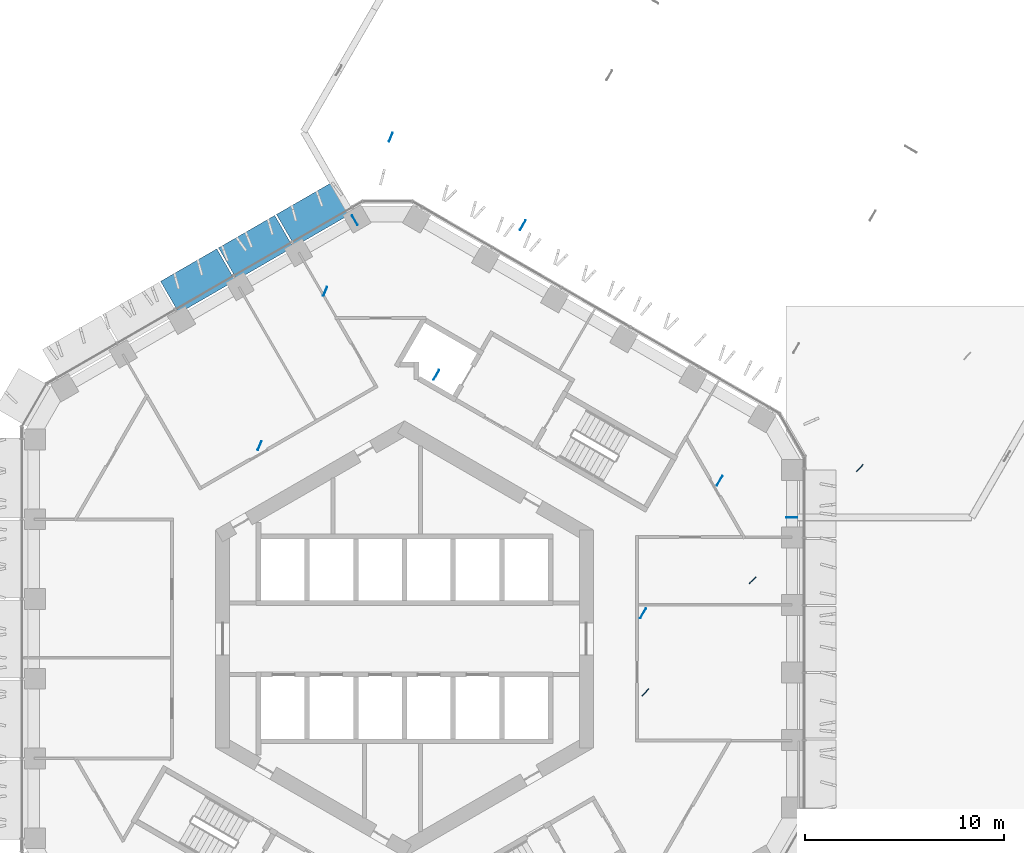
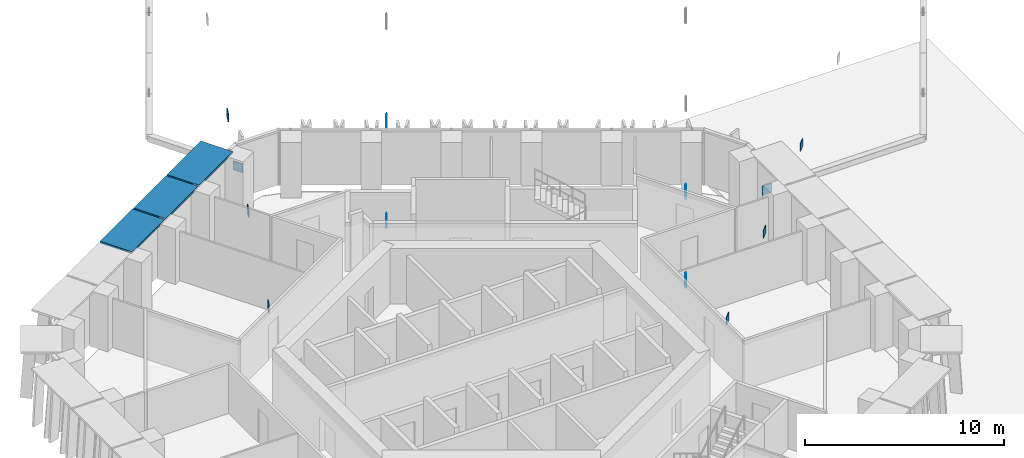
# One storey, part 17 of 25: 15 discrete accessories.
"""IFC4 building model written with IfcOpenShell, lengths in metres."""

from ifc_helpers import new_model, si_unit, direction, frame, origin, origin_2d, place, context, subcontext, project, spatial, rectangle, extrude, material, layer, layer_set, type_object, element, save


model = new_model("IFC4")

# Units and contexts
model_context = context("Model", 3, precision=1e-05, world=origin(), true_north=direction((0.0, 1.0)))
body_context = subcontext(model_context, "Body", "Model", "MODEL_VIEW")
ifc_project = project(units=[si_unit("LENGTHUNIT", "METRE"), si_unit("AREAUNIT", "SQUARE_METRE"), si_unit("VOLUMEUNIT", "CUBIC_METRE"), si_unit("PLANEANGLEUNIT", "RADIAN"), si_unit("MASSUNIT", "GRAM", prefix="KILO")], contexts=[model_context])

# Site, building, storey
site_placement = place(None, origin())
site = spatial("IfcSite", under=ifc_project, at=site_placement, CompositionType="ELEMENT")
building_placement = place(site_placement, origin())
building = spatial("IfcBuilding", under=site, at=building_placement, Name="Ayvan Gate Tower", CompositionType="ELEMENT")
storey_placement = place(building_placement, frame((0.0, 0.0, 132.5)))
storey = spatial("IfcBuildingStorey", under=building, at=storey_placement, Name="L35", CompositionType="ELEMENT", Elevation=132.5)

# Discrete accessories
ifc_material_1 = material(Name="Stainless steel 316", Category="steel")
ifc_layer_1 = layer(ifc_material_1, 0.1201171875)
ifc_layer_set_1 = layer_set([ifc_layer_1], Name="Stainless steel 316")
discrete_accessory_type_1 = type_object("IfcDiscreteAccessoryType", Name="Fin carrier bracket", PredefinedType="BRACKET", material=ifc_layer_set_1)
discrete_accessory_1_placement = place(storey_placement, frame((-10.393310546875, 18.00146484375, 3.280029296875), z_axis=(0.0, 0.0, 1.0), x_axis=(-0.866025403784, -0.5, 0.0)))
element("IfcDiscreteAccessory", 1, at=discrete_accessory_1_placement, inside=storey, type_object=discrete_accessory_type_1, Name="Fin carrier 341", PredefinedType="BRACKET", context=body_context, shape_type="SweptSolid", body=[
    extrude(rectangle(XDim=3.26611328125, YDim=1.851806640625, at=origin_2d()), origin(), (0.0, 0.0, 1.0), 0.1201171875),
])
discrete_accessory_2_placement = place(storey_placement, frame((-7.478759765625, 19.684326171875, 3.280029296875), z_axis=(0.0, 0.0, 1.0), x_axis=(-0.866025403784, -0.5, 0.0)))
element("IfcDiscreteAccessory", 2, at=discrete_accessory_2_placement, inside=storey, type_object=discrete_accessory_type_1, Name="Fin carrier 404", PredefinedType="BRACKET", context=body_context, shape_type="SweptSolid", body=[
    extrude(rectangle(XDim=3.264892578125, YDim=1.851806640625, at=origin_2d()), origin(), (0.0, 0.0, 1.0), 0.1201171875),
])
discrete_accessory_3_placement = place(storey_placement, frame((-4.5068359375, 21.39990234375, 3.280029296875), z_axis=(0.0, 0.0, 1.0), x_axis=(-0.866025403784, -0.5, 0.0)))
element("IfcDiscreteAccessory", 3, at=discrete_accessory_3_placement, inside=storey, type_object=discrete_accessory_type_1, Name="Fin carrier 459", PredefinedType="BRACKET", context=body_context, shape_type="SweptSolid", body=[
    extrude(rectangle(XDim=3.39794921875, YDim=1.851806640625, at=origin_2d()), origin(), (0.0, 0.0, 1.0), 0.1201171875),
])
ifc_material_2 = material(Name="Steel S460ML", Category="steel")
ifc_layer_2 = layer(ifc_material_2, 0.030029296875)
ifc_layer_set_2 = layer_set([ifc_layer_2], Name="Steel S460ML")
discrete_accessory_type_2 = type_object("IfcDiscreteAccessoryType", Name="Gusset plate 30 mm", PredefinedType="BRACKET", material=ifc_layer_set_2)
for number, where, z_axis, x_axis, name in (
    (4, (12.0, 1.28466796875, 2.39501953125), (0.0, 0.0, 1.0), (0.5, 0.866025403784, 0.0), "Gusset plate SBT3-2-D-2"),
    (5, (15.85009765625, 7.953369140625, 2.39501953125), (0.0, 0.0, 1.0), (0.5, 0.866025403784, 0.0), "Gusset plate SBT3-2-D-3"),
    (6, (1.603515625, 13.277099609375, 2.39501953125), (0.0, 0.0, 1.0), (0.5, 0.866025403784, 0.0), "Gusset plate SBT3-3-D-2"),
    (7, (5.956298828125, 20.81640625, 2.39501953125), (0.0, 0.0, 1.0), (0.5, 0.866025403784, 0.0), "Gusset plate SBT3-3-D-3"),
    (8, (-2.498291015625, 21.0576171875, 2.39501953125), (0.0, 0.0, 1.0), (-0.5, 0.866025403784, 0.0), "Gusset plate SBX3-A-D-1"),
    (9, (19.485595703125, 6.115478515625, 2.39501953125), (0.0, 0.0, 1.0), (1.0, 0.0, 0.0), "Gusset plate SBX3-B-D-1"),
):
    element("IfcDiscreteAccessory", number, at=place(storey_placement, frame(where, z_axis=z_axis, x_axis=x_axis)), inside=storey, type_object=discrete_accessory_type_2, Name=name, PredefinedType="BRACKET", context=body_context, shape_type="SweptSolid", body=[
        extrude(rectangle(XDim=0.56005859375, YDim=0.030029296875, at=origin_2d()), origin(), (0.0, 0.0, 1.0), 0.56005859375),
    ])
ifc_layer_3 = layer(ifc_material_2, 0.034912109375)
ifc_layer_set_3 = layer_set([ifc_layer_3], Name="Steel S460ML")
discrete_accessory_type_3 = type_object("IfcDiscreteAccessoryType", Name="Gusset plate 35 mm", PredefinedType="BRACKET", material=ifc_layer_set_3)
for number, where, z_axis, x_axis, name in (
    (10, (12.11474609375, -2.69482421875, 2.43505859375), (0.0, 0.0, 1.0), (0.691214195812, 0.722649939811, 0.0), "Gusset plate SBT3-1-D-2"),
    (11, (17.51171875, 2.94775390625, 2.43505859375), (0.0, 0.0, 1.0), (0.691214195812, 0.722649939811, 0.0), "Gusset plate SBT3-1-D-3"),
    (12, (22.90869140625, 8.590087890625, 2.43505859375), (0.0, 0.0, 1.0), (0.691214195812, 0.722649939811, 0.0), "Gusset plate SBT3-1-D-5"),
    (13, (-7.290283203125, 9.717529296875, 2.43505859375), (0.0, 0.0, 1.0), (0.39132387693, 0.920253021372, 0.0), "Gusset plate SBT3-4-D-2"),
    (14, (-3.99072265625, 17.476806640625, 2.43505859375), (0.0, 0.0, 1.0), (0.39132387693, 0.920253021372, 0.0), "Gusset plate SBT3-4-D-3"),
    (15, (-0.691162109375, 25.236083984375, 2.43505859375), (0.0, 0.0, 1.0), (0.39132387693, 0.920253021372, 0.0), "Gusset plate SBT3-4-D-5"),
):
    element("IfcDiscreteAccessory", number, at=place(storey_placement, frame(where, z_axis=z_axis, x_axis=x_axis)), inside=storey, type_object=discrete_accessory_type_3, Name=name, PredefinedType="BRACKET", context=body_context, shape_type="SweptSolid", body=[
        extrude(rectangle(XDim=0.47998046875, YDim=0.034912109375, at=origin_2d()), origin(), (0.0, 0.0, 1.0), 0.47998046875),
    ])

save(model, "model.ifc")
